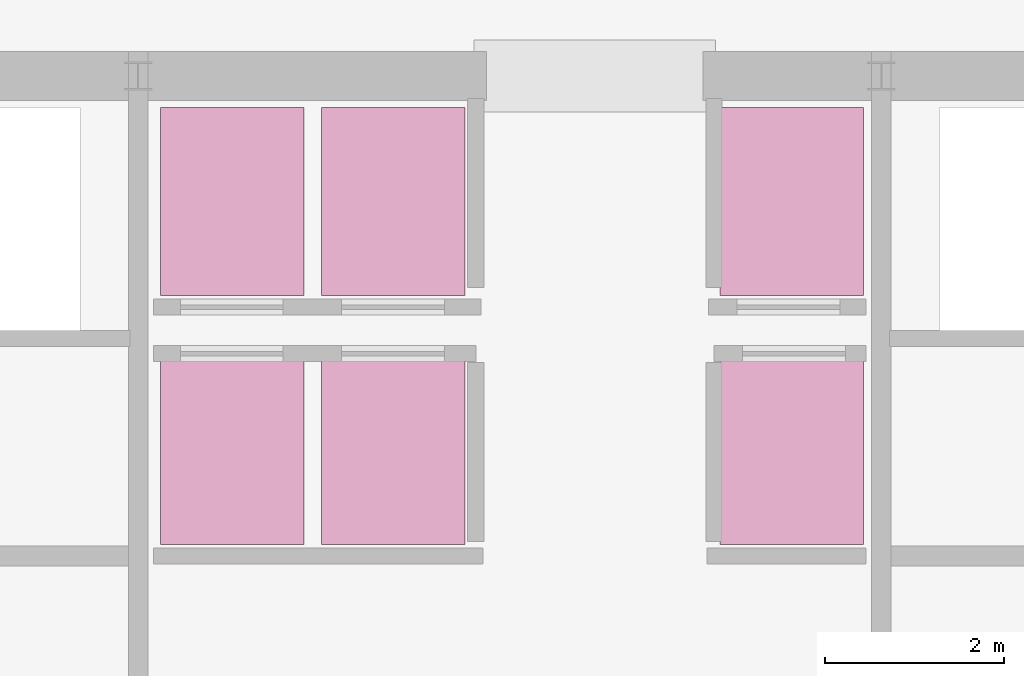
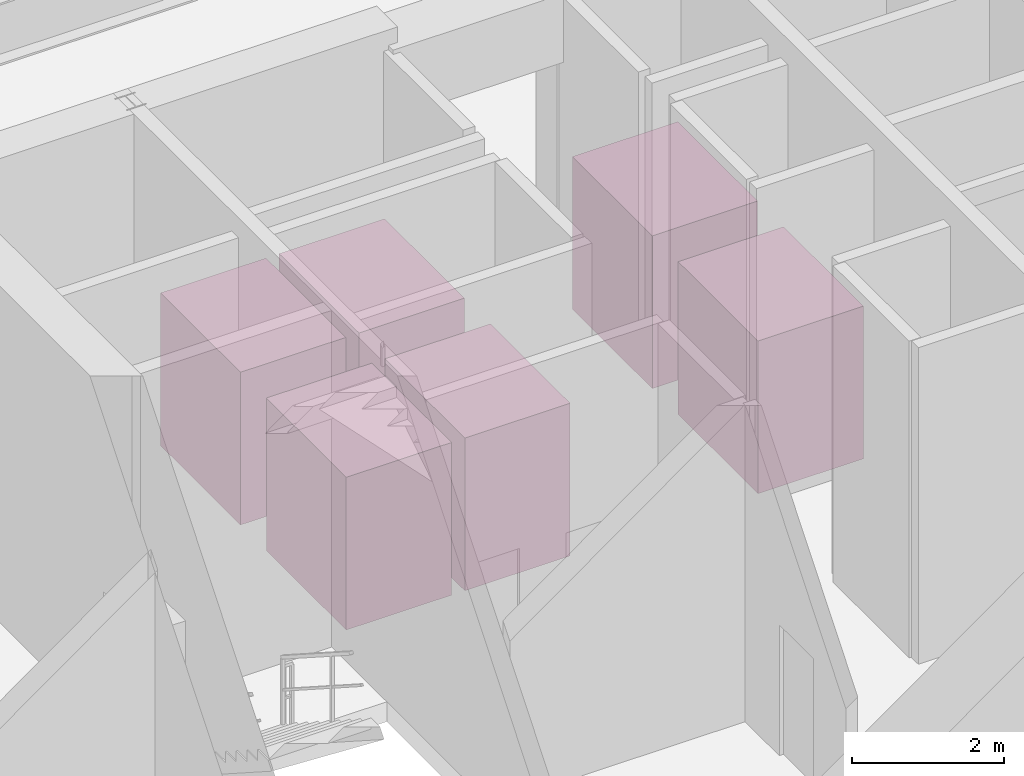
# One storey, part 19 of 19: 6 transport elements.
"""IFC4 building model written with IfcOpenShell, lengths in metres."""

from ifc_helpers import new_model, si_unit, direction, frame, origin, origin_2d, place, context, subcontext, project, spatial, rectangle, extrude, source, transform, mapped, material, type_object, type_shapes, element, save


model = new_model("IFC4")

# Units and contexts
model_context = context("Model", 3, precision=1e-05, world=origin(), true_north=direction((0.0, 1.0)))
body_context = subcontext(model_context, "Body", "Model", "MODEL_VIEW")
ifc_project = project(units=[si_unit("LENGTHUNIT", "METRE"), si_unit("AREAUNIT", "SQUARE_METRE"), si_unit("VOLUMEUNIT", "CUBIC_METRE"), si_unit("PLANEANGLEUNIT", "RADIAN"), si_unit("MASSUNIT", "GRAM", prefix="KILO")], contexts=[model_context])

# Site, building, storey
site_placement = place(None, origin())
site = spatial("IfcSite", under=ifc_project, at=site_placement, CompositionType="ELEMENT")
building_placement = place(site_placement, origin())
building = spatial("IfcBuilding", under=site, at=building_placement, Name="Caelisora Broadcast Tower", CompositionType="ELEMENT")
storey_placement = place(building_placement, origin())
storey = spatial("IfcBuildingStorey", under=building, at=storey_placement, Name="L00", CompositionType="ELEMENT", Elevation=0.0)

# Transport elements
ifc_material = material(Name="Stainless Steel Grade 304 Lift Car Assembly", Category="steel")
transport_element_type = type_object("IfcTransportElementType", Name="LFT-PL1", PredefinedType="ELEVATOR", material=ifc_material)
shared_shape = source(origin(), body_context, "Body", "SweptSolid", [
    extrude(rectangle(XDim=1.60009765625, YDim=2.10009765625, at=origin_2d()), origin(), (0.0, 0.0, 1.0), 2.449951171875),
])
type_shapes(transport_element_type, [shared_shape])
for number, where, z_axis, x_axis, name in (
    (1, (34.89990234375, 25.820068359375, 0.0), (0.0, 0.0, 1.0), (1.0, 0.0, 0.0), "Lift PL-M1"),
    (2, (36.699951171875, 25.820068359375, 0.0), (0.0, 0.0, 1.0), (1.0, 0.0, 0.0), "Lift PL-M2"),
    (3, (41.14990234375, 25.820068359375, 0.0), (0.0, 0.0, 1.0), (1.0, 0.0, 0.0), "Lift PL-M3"),
    (4, (34.89990234375, 28.60009765625, 0.0), (0.0, 0.0, 1.0), (1.0, 0.0, 0.0), "Lift PL-H1"),
    (5, (36.699951171875, 28.60009765625, 0.0), (0.0, 0.0, 1.0), (1.0, 0.0, 0.0), "Lift PL-H2"),
    (6, (41.14990234375, 28.60009765625, 0.0), (0.0, 0.0, 1.0), (1.0, 0.0, 0.0), "Lift PL-H3"),
):
    element("IfcTransportElement", number, at=place(storey_placement, frame(where, z_axis=z_axis, x_axis=x_axis)), inside=storey, type_object=transport_element_type, Name=name, PredefinedType="ELEVATOR", context=body_context, shape_type="MappedRepresentation", body=[
        mapped(shared_shape, transform((0.0, 0.0, 0.0), scale=1.0)),
    ])

save(model, "model.ifc")
